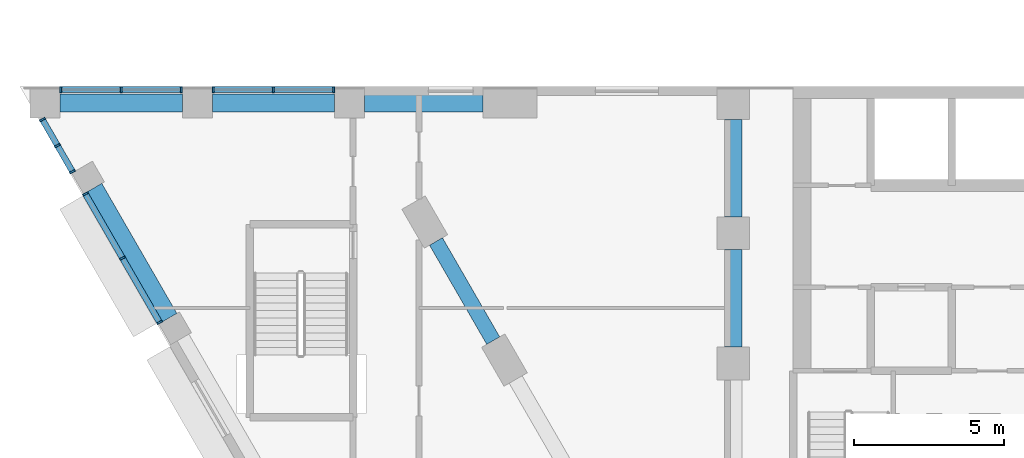
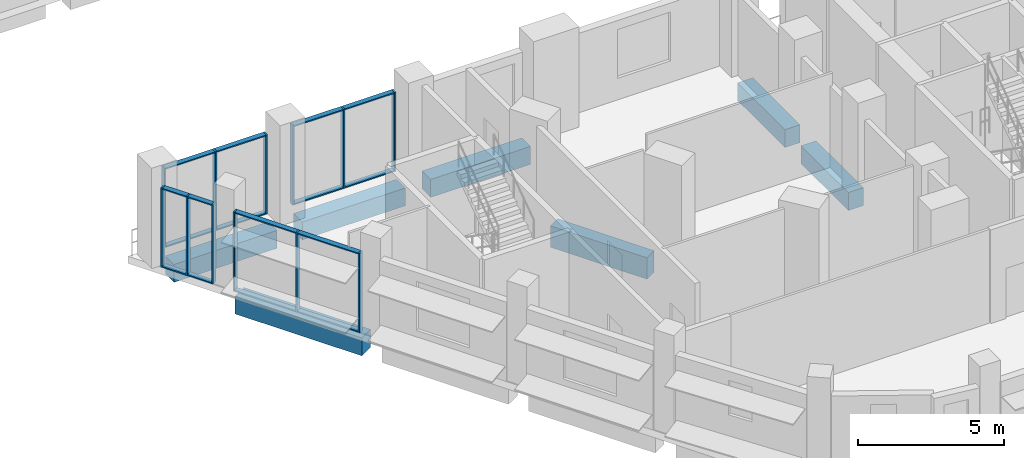
# One storey, part 2 of 22: 28 members, 7 beams, 4 elements without a shape of their own.
"""IFC4 building model written with IfcOpenShell, lengths in metres."""

from ifc_helpers import new_model, si_unit, direction, frame, origin, origin_2d, place, context, subcontext, project, spatial, rectangle, extrude, material, layer, layer_set, material_profile, profile_set, type_object, element, aggregate, save


model = new_model("IFC4")

# Units and contexts
model_context = context("Model", 3, precision=1e-05, world=origin(), true_north=direction((0.0, 1.0)))
body_context = subcontext(model_context, "Body", "Model", "MODEL_VIEW")
ifc_project = project(units=[si_unit("LENGTHUNIT", "METRE"), si_unit("AREAUNIT", "SQUARE_METRE"), si_unit("VOLUMEUNIT", "CUBIC_METRE"), si_unit("PLANEANGLEUNIT", "RADIAN"), si_unit("MASSUNIT", "GRAM", prefix="KILO")], contexts=[model_context])

# Site, building, storey
site_placement = place(None, origin())
site = spatial("IfcSite", under=ifc_project, at=site_placement, CompositionType="ELEMENT")
building_placement = place(site_placement, origin())
building = spatial("IfcBuilding", under=site, at=building_placement, Name="Nakaniwa Court", CompositionType="ELEMENT")
storey_placement = place(building_placement, frame((0.0, 0.0, 24.0)))
storey = spatial("IfcBuildingStorey", under=building, at=storey_placement, Name="L05", CompositionType="ELEMENT", Elevation=24.0)

# Beams
ifc_material_1 = material(Name="Concrete C100/115", Category="concrete")
ifc_material_profile_1 = material_profile(ifc_material_1, rectangle(XDim=0.5, YDim=0.89990234375, at=origin_2d()), Name="Concrete C100/115 RC 500x900 spandrel beam")
ifc_profile_set_1 = profile_set([ifc_material_profile_1], Name="Concrete C100/115")
beam_type_1 = type_object("IfcBeamType", Name="Concrete C100/115 RC 500x900 spandrel beam", PredefinedType="BEAM", material=ifc_profile_set_1)
beam_1_placement = place(storey_placement, frame((60.066650390625, 67.42578125, -0.75), z_axis=(0.499961815444, -0.866047448526, 0.0), x_axis=(0.866047448526, 0.499961815444, 0.0)))
element("IfcBeam", 1, at=beam_1_placement, inside=storey, type_object=beam_type_1, Name="SPANDREL BEAM", PredefinedType="BEAM", context=body_context, shape_type="SweptSolid", body=[
    extrude(rectangle(XDim=0.5, YDim=0.89990234375, at=origin_2d()), origin(), (0.0, 0.0, 1.0), 3.825927734375),
])
ifc_material_profile_2 = material_profile(ifc_material_1, rectangle(XDim=0.60009765625, YDim=0.75, at=origin_2d()), Name="Concrete C100/115 RC 600x750 ring beam")
ifc_profile_set_2 = profile_set([ifc_material_profile_2], Name="Concrete C100/115")
beam_type_2 = type_object("IfcBeamType", Name="Concrete C100/115 RC 600x750 ring beam", PredefinedType="BEAM", material=ifc_profile_set_2)
for number, where, z_axis, x_axis, name in (
    (2, (70.0, 71.5, -0.675048828125), (0.0, -1.0, 0.0), (1.0, 0.0, 0.0), "RING BEAM"),
    (3, (70.0, 67.14990234375, -0.675048828125), (0.0, -1.0, 0.0), (1.0, 0.0, 0.0), "RING BEAM"),
):
    element("IfcBeam", number, at=place(storey_placement, frame(where, z_axis=z_axis, x_axis=x_axis)), inside=storey, type_object=beam_type_2, Name=name, PredefinedType="BEAM", context=body_context, shape_type="SweptSolid", body=[
        extrude(rectangle(XDim=0.60009765625, YDim=0.75, at=origin_2d()), origin(), (0.0, 0.0, 1.0), 3.25),
    ])
beam_2_placement = place(storey_placement, frame((48.640625, 69.2158203125, -0.675048828125), z_axis=(0.500017322015, -0.866015402684, 0.0), x_axis=(0.866015402684, 0.500017322015, 0.0)))
element("IfcBeam", 4, at=beam_2_placement, inside=storey, type_object=beam_type_2, Name="RING BEAM", PredefinedType="BEAM", context=body_context, shape_type="SweptSolid", body=[
    extrude(rectangle(XDim=0.60009765625, YDim=0.75, at=origin_2d()), origin(), (0.0, 0.0, 1.0), 5.016845703125),
])
beam_3_placement = place(storey_placement, frame((47.50390625, 72.050048828125, -0.675048828125), z_axis=(1.0, 0.0, 0.0), x_axis=(0.0, 1.0, 0.0)))
element("IfcBeam", 5, at=beam_3_placement, inside=storey, type_object=beam_type_2, Name="RING BEAM", PredefinedType="BEAM", context=body_context, shape_type="SweptSolid", body=[
    extrude(rectangle(XDim=0.60009765625, YDim=0.75, at=origin_2d()), origin(), (0.0, 0.0, 1.0), 4.087158203125),
])
beam_4_placement = place(storey_placement, frame((52.591064453125, 72.050048828125, -0.675048828125), z_axis=(1.0, 0.0, 0.0), x_axis=(0.0, 1.0, 0.0)))
element("IfcBeam", 6, at=beam_4_placement, inside=storey, type_object=beam_type_2, Name="RING BEAM", PredefinedType="BEAM", context=body_context, shape_type="SweptSolid", body=[
    extrude(rectangle(XDim=0.60009765625, YDim=0.75, at=origin_2d()), origin(), (0.0, 0.0, 1.0), 4.0859375),
])
beam_5_placement = place(storey_placement, frame((57.677001953125, 72.050048828125, -0.675048828125), z_axis=(1.0, 0.0, 0.0), x_axis=(0.0, 1.0, 0.0)))
element("IfcBeam", 7, at=beam_5_placement, inside=storey, type_object=beam_type_2, Name="RING BEAM", PredefinedType="BEAM", context=body_context, shape_type="SweptSolid", body=[
    extrude(rectangle(XDim=0.60009765625, YDim=0.75, at=origin_2d()), origin(), (0.0, 0.0, 1.0), 3.965087890625),
])

# Curtain wall, members
ifc_material_2 = material(Name="Black anodised aluminium frame with dark low-E laminated double glazing", Category="aluminium")
ifc_layer = layer(ifc_material_2, 0.199951171875)
ifc_layer_set = layer_set([ifc_layer], Name="Black anodised aluminium frame with dark low-E laminated double glazing")
curtain_wall_type = type_object("IfcCurtainWallType", Name="Podium unitised curtain wall", PredefinedType="NOTDEFINED", material=ifc_layer_set)
curtain_wall_1_placement = place(storey_placement, origin())
curtain_wall_1 = element("IfcCurtainWall", 8, at=curtain_wall_1_placement, inside=storey, type_object=curtain_wall_type, Name="L05 curtain wall CW1 10", PredefinedType="NOTDEFINED")
ifc_material_3 = material(Name="Black anodised aluminium extrusion", Category="aluminium")
ifc_material_profile_3 = material_profile(ifc_material_3, rectangle(XDim=0.199951171875, YDim=0.06494140625, at=origin_2d()), Name="Podium unitised curtain wall mullion 65x200")
ifc_profile_set_3 = profile_set([ifc_material_profile_3], Name="Black anodised aluminium extrusion")
member_type_1 = type_object("IfcMemberType", Name="Podium unitised curtain wall mullion 65x200", PredefinedType="MULLION", material=ifc_profile_set_3)
member_1_placement = place(storey_placement, frame((56.6484375, 72.5, 0.0), z_axis=(0.0, 0.0, 1.0), x_axis=(0.0, -1.0, 0.0)))
member_1 = element("IfcMember", 9, at=member_1_placement, type_object=member_type_1, Name="CW1 mullion 1", PredefinedType="MULLION", context=body_context, shape_type="SweptSolid", body=[
    extrude(rectangle(XDim=0.199951171875, YDim=0.06494140625, at=origin_2d()), origin(), (0.0, 0.0, 1.0), 3.324951171875),
])
member_2_placement = place(storey_placement, frame((54.634033203125, 72.5, 0.0), z_axis=(0.0, 0.0, 1.0), x_axis=(0.0, -1.0, 0.0)))
member_2 = element("IfcMember", 10, at=member_2_placement, type_object=member_type_1, Name="CW1 mullion 2", PredefinedType="MULLION", context=body_context, shape_type="SweptSolid", body=[
    extrude(rectangle(XDim=0.199951171875, YDim=0.06494140625, at=origin_2d()), origin(), (0.0, 0.0, 1.0), 3.324951171875),
])
member_3_placement = place(storey_placement, frame((52.619384765625, 72.5, 0.0), z_axis=(0.0, 0.0, 1.0), x_axis=(0.0, -1.0, 0.0)))
member_3 = element("IfcMember", 11, at=member_3_placement, type_object=member_type_1, Name="CW1 mullion 3", PredefinedType="MULLION", context=body_context, shape_type="SweptSolid", body=[
    extrude(rectangle(XDim=0.199951171875, YDim=0.06494140625, at=origin_2d()), origin(), (0.0, 0.0, 1.0), 3.324951171875),
])

curtain_wall_2_placement = place(storey_placement, origin())
curtain_wall_2 = element("IfcCurtainWall", 12, at=curtain_wall_2_placement, inside=storey, type_object=curtain_wall_type, Name="L05 curtain wall CW1 11", PredefinedType="NOTDEFINED")
member_4_placement = place(storey_placement, frame((51.5625, 72.5, 0.0), z_axis=(0.0, 0.0, 1.0), x_axis=(0.0, -1.0, 0.0)))
member_4 = element("IfcMember", 13, at=member_4_placement, type_object=member_type_1, Name="CW1 mullion 1", PredefinedType="MULLION", context=body_context, shape_type="SweptSolid", body=[
    extrude(rectangle(XDim=0.199951171875, YDim=0.06494140625, at=origin_2d()), origin(), (0.0, 0.0, 1.0), 3.324951171875),
])
member_5_placement = place(storey_placement, frame((49.547607421875, 72.5, 0.0), z_axis=(0.0, 0.0, 1.0), x_axis=(0.0, -1.0, 0.0)))
member_5 = element("IfcMember", 14, at=member_5_placement, type_object=member_type_1, Name="CW1 mullion 2", PredefinedType="MULLION", context=body_context, shape_type="SweptSolid", body=[
    extrude(rectangle(XDim=0.199951171875, YDim=0.06494140625, at=origin_2d()), origin(), (0.0, 0.0, 1.0), 3.324951171875),
])
member_6_placement = place(storey_placement, frame((47.532470703125, 72.5, 0.0), z_axis=(0.0, 0.0, 1.0), x_axis=(0.0, -1.0, 0.0)))
member_6 = element("IfcMember", 15, at=member_6_placement, type_object=member_type_1, Name="CW1 mullion 3", PredefinedType="MULLION", context=body_context, shape_type="SweptSolid", body=[
    extrude(rectangle(XDim=0.199951171875, YDim=0.06494140625, at=origin_2d()), origin(), (0.0, 0.0, 1.0), 3.324951171875),
])

curtain_wall_3_placement = place(storey_placement, origin())
curtain_wall_3 = element("IfcCurtainWall", 16, at=curtain_wall_3_placement, inside=storey, type_object=curtain_wall_type, Name="L05 curtain wall CW1 12", PredefinedType="NOTDEFINED")
member_7_placement = place(storey_placement, frame((46.917724609375, 71.500244140625, 0.0), z_axis=(0.0, 0.0, 1.0), x_axis=(0.866035619435, 0.499982305557, 0.0)))
member_7 = element("IfcMember", 17, at=member_7_placement, type_object=member_type_1, Name="CW1 mullion 1", PredefinedType="MULLION", context=body_context, shape_type="SweptSolid", body=[
    extrude(rectangle(XDim=0.199951171875, YDim=0.06494140625, at=origin_2d()), origin(), (0.0, 0.0, 1.0), 3.324951171875),
])
member_8_placement = place(storey_placement, frame((47.42041015625, 70.62939453125, 0.0), z_axis=(0.0, 0.0, 1.0), x_axis=(0.866035619435, 0.499982305557, 0.0)))
member_8 = element("IfcMember", 18, at=member_8_placement, type_object=member_type_1, Name="CW1 mullion 2", PredefinedType="MULLION", context=body_context, shape_type="SweptSolid", body=[
    extrude(rectangle(XDim=0.199951171875, YDim=0.06494140625, at=origin_2d()), origin(), (0.0, 0.0, 1.0), 3.324951171875),
])
member_9_placement = place(storey_placement, frame((47.92333984375, 69.75830078125, 0.0), z_axis=(0.0, 0.0, 1.0), x_axis=(0.866035619435, 0.499982305557, 0.0)))
member_9 = element("IfcMember", 19, at=member_9_placement, type_object=member_type_1, Name="CW1 mullion 3", PredefinedType="MULLION", context=body_context, shape_type="SweptSolid", body=[
    extrude(rectangle(XDim=0.199951171875, YDim=0.06494140625, at=origin_2d()), origin(), (0.0, 0.0, 1.0), 3.324951171875),
])

curtain_wall_4_placement = place(storey_placement, origin())
curtain_wall_4 = element("IfcCurtainWall", 20, at=curtain_wall_4_placement, inside=storey, type_object=curtain_wall_type, Name="L05 curtain wall CW1 13", PredefinedType="NOTDEFINED")
member_10_placement = place(storey_placement, frame((48.351806640625, 69.016357421875, 0.0), z_axis=(0.0, 0.0, 1.0), x_axis=(0.866030157638, 0.499991765993, 0.0)))
member_10 = element("IfcMember", 21, at=member_10_placement, type_object=member_type_1, Name="CW1 mullion 1", PredefinedType="MULLION", context=body_context, shape_type="SweptSolid", body=[
    extrude(rectangle(XDim=0.199951171875, YDim=0.06494140625, at=origin_2d()), origin(), (0.0, 0.0, 1.0), 3.324951171875),
])
member_11_placement = place(storey_placement, frame((49.591796875, 66.86865234375, 0.0), z_axis=(0.0, 0.0, 1.0), x_axis=(0.866030157638, 0.499991765993, 0.0)))
member_11 = element("IfcMember", 22, at=member_11_placement, type_object=member_type_1, Name="CW1 mullion 2", PredefinedType="MULLION", context=body_context, shape_type="SweptSolid", body=[
    extrude(rectangle(XDim=0.199951171875, YDim=0.06494140625, at=origin_2d()), origin(), (0.0, 0.0, 1.0), 3.324951171875),
])
member_12_placement = place(storey_placement, frame((50.831787109375, 64.720947265625, 0.0), z_axis=(0.0, 0.0, 1.0), x_axis=(0.866030157638, 0.499991765993, 0.0)))
member_12 = element("IfcMember", 23, at=member_12_placement, type_object=member_type_1, Name="CW1 mullion 3", PredefinedType="MULLION", context=body_context, shape_type="SweptSolid", body=[
    extrude(rectangle(XDim=0.199951171875, YDim=0.06494140625, at=origin_2d()), origin(), (0.0, 0.0, 1.0), 3.324951171875),
])

# Member
ifc_material_profile_4 = material_profile(ifc_material_3, rectangle(XDim=0.199951171875, YDim=0.050048828125, at=origin_2d()), Name="Podium unitised curtain wall transom 50x200")
ifc_profile_set_4 = profile_set([ifc_material_profile_4], Name="Black anodised aluminium extrusion")
member_type_2 = type_object("IfcMemberType", Name="Podium unitised curtain wall transom 50x200", PredefinedType="USERDEFINED", material=ifc_profile_set_4)
member_13_placement = place(storey_placement, frame((56.615966796875, 72.5, 0.02490234375), z_axis=(-1.0, 0.0, 0.0), x_axis=(0.0, -1.0, 0.0)))
member_13 = element("IfcMember", 24, at=member_13_placement, type_object=member_type_2, Name="CW1 transom 1.1", ObjectType="TRANSOM", PredefinedType="USERDEFINED", context=body_context, shape_type="SweptSolid", body=[
    extrude(rectangle(XDim=0.199951171875, YDim=0.050048828125, at=origin_2d()), origin(), (0.0, 0.0, 1.0), 1.949462890625),
])

member_14_placement = place(storey_placement, frame((56.615966796875, 72.5, 3.300048828125), z_axis=(-1.0, 0.0, 0.0), x_axis=(0.0, -1.0, 0.0)))
member_14 = element("IfcMember", 25, at=member_14_placement, type_object=member_type_2, Name="CW1 transom 1.2", ObjectType="TRANSOM", PredefinedType="USERDEFINED", context=body_context, shape_type="SweptSolid", body=[
    extrude(rectangle(XDim=0.199951171875, YDim=0.050048828125, at=origin_2d()), origin(), (0.0, 0.0, 1.0), 1.949462890625),
])

member_15_placement = place(storey_placement, frame((54.6015625, 72.5, 0.02490234375), z_axis=(-1.0, 0.0, 0.0), x_axis=(0.0, -1.0, 0.0)))
member_15 = element("IfcMember", 26, at=member_15_placement, type_object=member_type_2, Name="CW1 transom 2.1", ObjectType="TRANSOM", PredefinedType="USERDEFINED", context=body_context, shape_type="SweptSolid", body=[
    extrude(rectangle(XDim=0.199951171875, YDim=0.050048828125, at=origin_2d()), origin(), (0.0, 0.0, 1.0), 1.949462890625),
])

member_16_placement = place(storey_placement, frame((54.6015625, 72.5, 3.300048828125), z_axis=(-1.0, 0.0, 0.0), x_axis=(0.0, -1.0, 0.0)))
member_16 = element("IfcMember", 27, at=member_16_placement, type_object=member_type_2, Name="CW1 transom 2.2", ObjectType="TRANSOM", PredefinedType="USERDEFINED", context=body_context, shape_type="SweptSolid", body=[
    extrude(rectangle(XDim=0.199951171875, YDim=0.050048828125, at=origin_2d()), origin(), (0.0, 0.0, 1.0), 1.949462890625),
])

aggregate(curtain_wall_1, [member_1, member_2, member_3, member_13, member_14, member_15, member_16])

member_17_placement = place(storey_placement, frame((51.530029296875, 72.5, 0.02490234375), z_axis=(-1.0, 0.0, 0.0), x_axis=(0.0, -1.0, 0.0)))
member_17 = element("IfcMember", 28, at=member_17_placement, type_object=member_type_2, Name="CW1 transom 1.1", ObjectType="TRANSOM", PredefinedType="USERDEFINED", context=body_context, shape_type="SweptSolid", body=[
    extrude(rectangle(XDim=0.199951171875, YDim=0.050048828125, at=origin_2d()), origin(), (0.0, 0.0, 1.0), 1.949951171875),
])

member_18_placement = place(storey_placement, frame((51.530029296875, 72.5, 3.300048828125), z_axis=(-1.0, 0.0, 0.0), x_axis=(0.0, -1.0, 0.0)))
member_18 = element("IfcMember", 29, at=member_18_placement, type_object=member_type_2, Name="CW1 transom 1.2", ObjectType="TRANSOM", PredefinedType="USERDEFINED", context=body_context, shape_type="SweptSolid", body=[
    extrude(rectangle(XDim=0.199951171875, YDim=0.050048828125, at=origin_2d()), origin(), (0.0, 0.0, 1.0), 1.949951171875),
])

member_19_placement = place(storey_placement, frame((49.514892578125, 72.5, 0.02490234375), z_axis=(-1.0, 0.0, 0.0), x_axis=(0.0, -1.0, 0.0)))
member_19 = element("IfcMember", 30, at=member_19_placement, type_object=member_type_2, Name="CW1 transom 2.1", ObjectType="TRANSOM", PredefinedType="USERDEFINED", context=body_context, shape_type="SweptSolid", body=[
    extrude(rectangle(XDim=0.199951171875, YDim=0.050048828125, at=origin_2d()), origin(), (0.0, 0.0, 1.0), 1.949951171875),
])

member_20_placement = place(storey_placement, frame((49.514892578125, 72.5, 3.300048828125), z_axis=(-1.0, 0.0, 0.0), x_axis=(0.0, -1.0, 0.0)))
member_20 = element("IfcMember", 31, at=member_20_placement, type_object=member_type_2, Name="CW1 transom 2.2", ObjectType="TRANSOM", PredefinedType="USERDEFINED", context=body_context, shape_type="SweptSolid", body=[
    extrude(rectangle(XDim=0.199951171875, YDim=0.050048828125, at=origin_2d()), origin(), (0.0, 0.0, 1.0), 1.949951171875),
])

aggregate(curtain_wall_2, [member_4, member_5, member_6, member_17, member_18, member_19, member_20])

member_21_placement = place(storey_placement, frame((46.933837890625, 71.47216796875, 0.02490234375), z_axis=(0.500074377092, -0.865982457891, 0.0), x_axis=(0.865982457891, 0.500074377092, 0.0)))
member_21 = element("IfcMember", 32, at=member_21_placement, type_object=member_type_2, Name="CW1 transom 1.1", ObjectType="TRANSOM", PredefinedType="USERDEFINED", context=body_context, shape_type="SweptSolid", body=[
    extrude(rectangle(XDim=0.199951171875, YDim=0.050048828125, at=origin_2d()), origin(), (0.0, 0.0, 1.0), 0.940673828125),
])

member_22_placement = place(storey_placement, frame((46.933837890625, 71.47216796875, 3.300048828125), z_axis=(0.500074377092, -0.865982457891, 0.0), x_axis=(0.865982457891, 0.500074377092, 0.0)))
member_22 = element("IfcMember", 33, at=member_22_placement, type_object=member_type_2, Name="CW1 transom 1.2", ObjectType="TRANSOM", PredefinedType="USERDEFINED", context=body_context, shape_type="SweptSolid", body=[
    extrude(rectangle(XDim=0.199951171875, YDim=0.050048828125, at=origin_2d()), origin(), (0.0, 0.0, 1.0), 0.940673828125),
])

member_23_placement = place(storey_placement, frame((47.436767578125, 70.601318359375, 0.02490234375), z_axis=(0.499767380232, -0.866159665221, 0.0), x_axis=(0.866159665221, 0.499767380232, 0.0)))
member_23 = element("IfcMember", 34, at=member_23_placement, type_object=member_type_2, Name="CW1 transom 2.1", ObjectType="TRANSOM", PredefinedType="USERDEFINED", context=body_context, shape_type="SweptSolid", body=[
    extrude(rectangle(XDim=0.199951171875, YDim=0.050048828125, at=origin_2d()), origin(), (0.0, 0.0, 1.0), 0.94091796875),
])

member_24_placement = place(storey_placement, frame((47.436767578125, 70.601318359375, 3.300048828125), z_axis=(0.499767380232, -0.866159665221, 0.0), x_axis=(0.866159665221, 0.499767380232, 0.0)))
member_24 = element("IfcMember", 35, at=member_24_placement, type_object=member_type_2, Name="CW1 transom 2.2", ObjectType="TRANSOM", PredefinedType="USERDEFINED", context=body_context, shape_type="SweptSolid", body=[
    extrude(rectangle(XDim=0.199951171875, YDim=0.050048828125, at=origin_2d()), origin(), (0.0, 0.0, 1.0), 0.94091796875),
])

aggregate(curtain_wall_3, [member_7, member_8, member_9, member_21, member_22, member_23, member_24])

member_25_placement = place(storey_placement, frame((48.3681640625, 68.988037109375, 0.02490234375), z_axis=(0.499955836981, -0.866050899814, 0.0), x_axis=(0.866050899814, 0.499955836981, 0.0)))
member_25 = element("IfcMember", 36, at=member_25_placement, type_object=member_type_2, Name="CW1 transom 1.1", ObjectType="TRANSOM", PredefinedType="USERDEFINED", context=body_context, shape_type="SweptSolid", body=[
    extrude(rectangle(XDim=0.199951171875, YDim=0.050048828125, at=origin_2d()), origin(), (0.0, 0.0, 1.0), 2.414794921875),
])

member_26_placement = place(storey_placement, frame((48.3681640625, 68.988037109375, 3.300048828125), z_axis=(0.499955836981, -0.866050899814, 0.0), x_axis=(0.866050899814, 0.499955836981, 0.0)))
member_26 = element("IfcMember", 37, at=member_26_placement, type_object=member_type_2, Name="CW1 transom 1.2", ObjectType="TRANSOM", PredefinedType="USERDEFINED", context=body_context, shape_type="SweptSolid", body=[
    extrude(rectangle(XDim=0.199951171875, YDim=0.050048828125, at=origin_2d()), origin(), (0.0, 0.0, 1.0), 2.414794921875),
])

member_27_placement = place(storey_placement, frame((49.608154296875, 66.84033203125, 0.02490234375), z_axis=(0.499955836981, -0.866050899814, 0.0), x_axis=(0.866050899814, 0.499955836981, 0.0)))
member_27 = element("IfcMember", 38, at=member_27_placement, type_object=member_type_2, Name="CW1 transom 2.1", ObjectType="TRANSOM", PredefinedType="USERDEFINED", context=body_context, shape_type="SweptSolid", body=[
    extrude(rectangle(XDim=0.199951171875, YDim=0.050048828125, at=origin_2d()), origin(), (0.0, 0.0, 1.0), 2.414794921875),
])

member_28_placement = place(storey_placement, frame((49.608154296875, 66.84033203125, 3.300048828125), z_axis=(0.499955836981, -0.866050899814, 0.0), x_axis=(0.866050899814, 0.499955836981, 0.0)))
member_28 = element("IfcMember", 39, at=member_28_placement, type_object=member_type_2, Name="CW1 transom 2.2", ObjectType="TRANSOM", PredefinedType="USERDEFINED", context=body_context, shape_type="SweptSolid", body=[
    extrude(rectangle(XDim=0.199951171875, YDim=0.050048828125, at=origin_2d()), origin(), (0.0, 0.0, 1.0), 2.414794921875),
])

aggregate(curtain_wall_4, [member_10, member_11, member_12, member_25, member_26, member_27, member_28])

save(model, "model.ifc")
